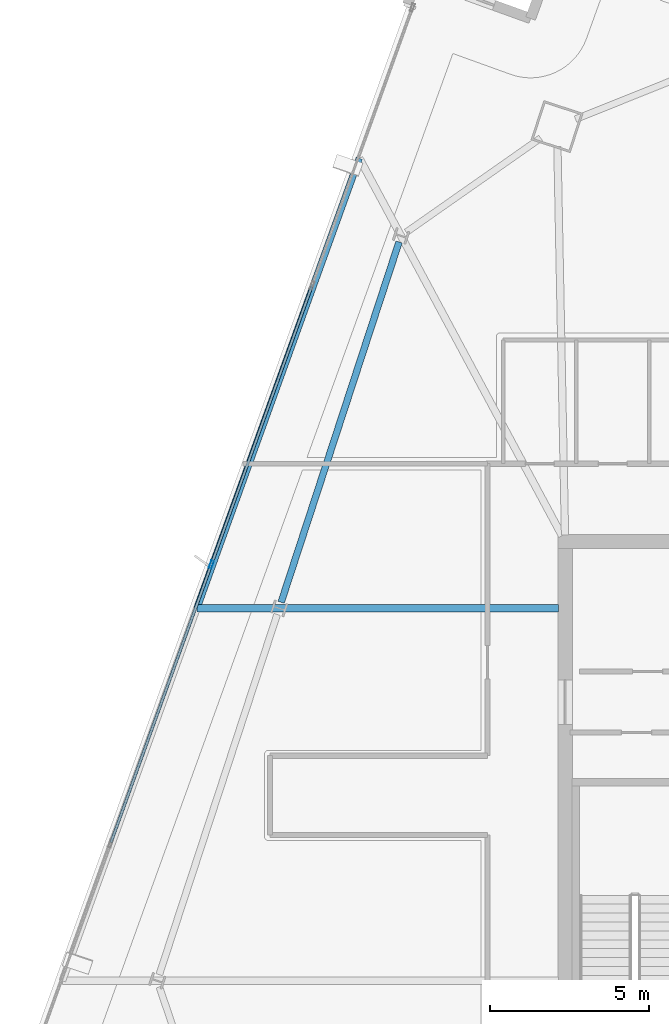
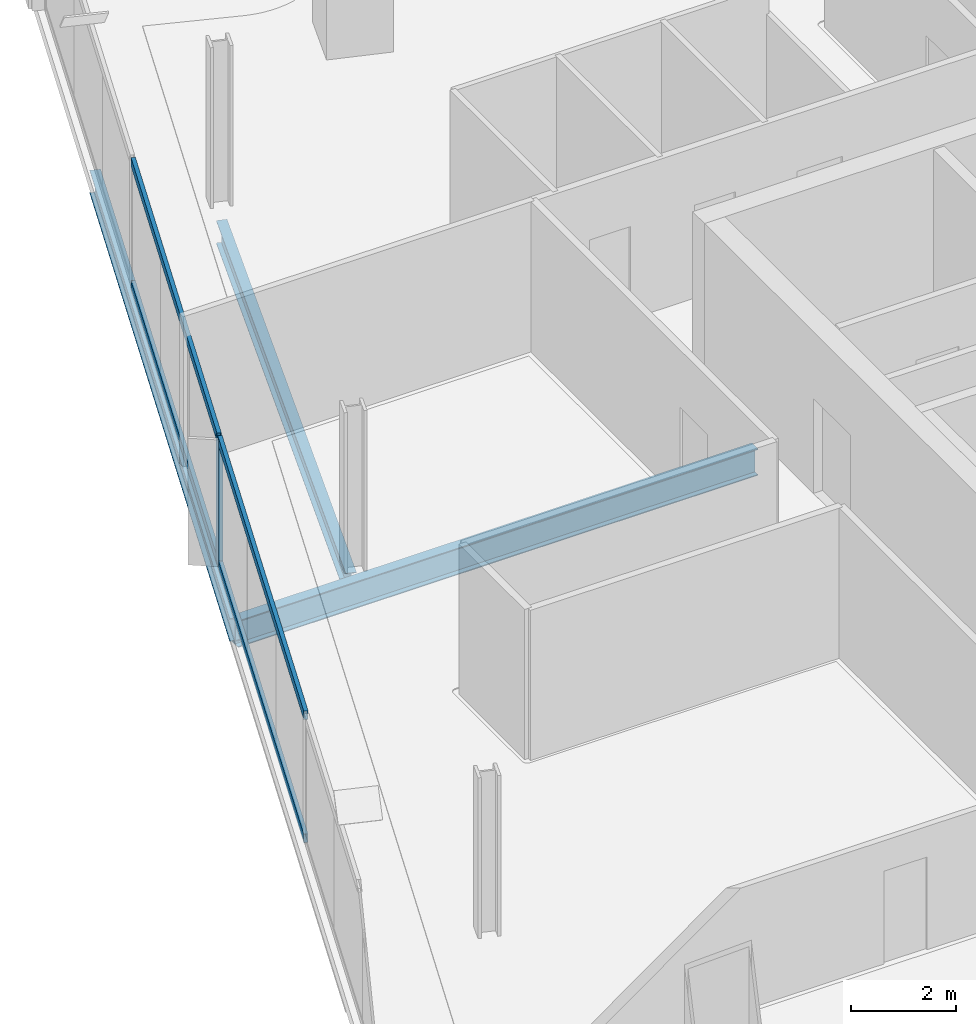
# One storey, part 12 of 27: 5 members, 3 beams, 1 element without a shape of its own.
"""IFC4 building model written with IfcOpenShell, lengths in metres."""

from ifc_helpers import new_model, si_unit, direction, frame, origin, origin_2d, place, context, subcontext, project, spatial, hollow_rectangle, i_section, extrude, material, material_profile, profile_set, type_object, element, aggregate, save


model = new_model("IFC4")

# Units and contexts
model_context = context("Model", 3, precision=1e-05, world=origin(), true_north=direction((0.0, 1.0)))
body_context = subcontext(model_context, "Body", "Model", "MODEL_VIEW")
ifc_project = project(units=[si_unit("LENGTHUNIT", "METRE"), si_unit("AREAUNIT", "SQUARE_METRE"), si_unit("VOLUMEUNIT", "CUBIC_METRE"), si_unit("PLANEANGLEUNIT", "RADIAN"), si_unit("MASSUNIT", "GRAM", prefix="KILO")], contexts=[model_context])

# Site, building, storey
site_placement = place(None, origin())
site = spatial("IfcSite", under=ifc_project, at=site_placement, CompositionType="ELEMENT")
building_placement = place(site_placement, origin())
building = spatial("IfcBuilding", under=site, at=building_placement, Name="Haldenkirk Collegiate Tower", CompositionType="ELEMENT")
storey_placement = place(building_placement, frame((0.0, 0.0, 263.699951171875)))
storey = spatial("IfcBuildingStorey", under=building, at=storey_placement, Name="L66", CompositionType="ELEMENT", Elevation=263.699951171875)

# Beams
ifc_material_1 = material(Name="Steel ASTM A992 Grade 50", Category="steel")
ifc_material_profile_1 = material_profile(ifc_material_1, i_section(OverallWidth=0.22998046875, OverallDepth=0.616943359375, WebThickness=0.01318359375, FlangeThickness=0.022216796875, at=origin_2d()), Name="W24X94")
ifc_profile_set_1 = profile_set([ifc_material_profile_1], Name="Steel ASTM A992 Grade 50")
beam_type_1 = type_object("IfcBeamType", Name="BM-GIRDER-W24X94", PredefinedType="BEAM", material=ifc_profile_set_1)
beam_1_placement = place(storey_placement, frame((15.397216796875, 31.8935546875, -0.578369140625), z_axis=(1.0, 0.0, 0.0), x_axis=(0.0, 1.0, 0.0)))
element("IfcBeam", 1, at=beam_1_placement, inside=storey, type_object=beam_type_1, Name="L66 primary floor girder 12", PredefinedType="BEAM", context=body_context, shape_type="SweptSolid", body=[
    extrude(i_section(OverallWidth=0.22998046875, OverallDepth=0.616943359375, WebThickness=0.01318359375, FlangeThickness=0.022216796875, at=origin_2d()), origin(), (0.0, 0.0, 1.0), 11.397705078125),
])
ifc_material_profile_2 = material_profile(ifc_material_1, i_section(OverallWidth=0.2099609375, OverallDepth=0.537109375, WebThickness=0.010986328125, FlangeThickness=0.017333984375, at=origin_2d()), Name="W21X68")
ifc_profile_set_2 = profile_set([ifc_material_profile_2], Name="Steel ASTM A992 Grade 50")
beam_type_2 = type_object("IfcBeamType", Name="BM-SPANDREL-W21X68", PredefinedType="SPANDREL", material=ifc_profile_set_2)
beam_2_placement = place(storey_placement, frame((21.76708984375, 43.436767578125, -0.538330078125), z_axis=(-0.311010188249, -0.950406577631, 0.0), x_axis=(0.950406577631, -0.311010188249, 0.0)))
element("IfcBeam", 2, at=beam_2_placement, inside=storey, type_object=beam_type_2, Name="L66 perimeter spandrel beam 10", PredefinedType="SPANDREL", context=body_context, shape_type="SweptSolid", body=[
    extrude(i_section(OverallWidth=0.2099609375, OverallDepth=0.537109375, WebThickness=0.010986328125, FlangeThickness=0.017333984375, at=origin_2d()), origin(), (0.0, 0.0, 1.0), 11.94287109375),
])
beam_3_placement = place(storey_placement, frame((20.516845703125, 46.0751953125, -0.538330078125), z_axis=(-0.339555332024, -0.940586081384, 0.0), x_axis=(0.940586081384, -0.339555332024, 0.0)))
element("IfcBeam", 3, at=beam_3_placement, inside=storey, type_object=beam_type_2, Name="L66 outer facade edge beam 3A", PredefinedType="SPANDREL", context=body_context, shape_type="SweptSolid", body=[
    extrude(i_section(OverallWidth=0.2099609375, OverallDepth=0.537109375, WebThickness=0.010986328125, FlangeThickness=0.017333984375, at=origin_2d()), origin(), (0.0, 0.0, 1.0), 15.077392578125),
])

# Curtain wall, members
ifc_material_2 = material(Name="Anodised architectural bronze aluminium", Category="aluminium")
curtain_wall_type = type_object("IfcCurtainWallType", Name="CW-SYS1B-CONVEX-HI", PredefinedType="USERDEFINED", material=ifc_material_2)
curtain_wall_placement = place(storey_placement, origin())
curtain_wall = element("IfcCurtainWall", 4, at=curtain_wall_placement, inside=storey, type_object=curtain_wall_type, Name="L66 Upper tower high-wind convex bronze unitised curtain wall", ObjectType="UNITISED CURTAIN WALL", PredefinedType="USERDEFINED")
ifc_material_profile_3 = material_profile(ifc_material_2, hollow_rectangle(XDim=0.0849609375, YDim=0.25, WallThickness=0.0048828125, at=origin_2d()), Name="CW-MUL-1B")
ifc_profile_set_3 = profile_set([ifc_material_profile_3], Name="Anodised architectural bronze aluminium")
member_type_1 = type_object("IfcMemberType", Name="CW-MUL-1B", PredefinedType="MULLION", material=ifc_profile_set_3)
member_1_placement = place(storey_placement, frame((15.8525390625, 33.2734375, 0.0), z_axis=(0.0, 0.0, 1.0), x_axis=(-0.940584906317, 0.339558587006, 0.0)))
member_1 = element("IfcMember", 5, at=member_1_placement, type_object=member_type_1, Name="CW-1B mullion 3", PredefinedType="MULLION", context=body_context, shape_type="SweptSolid", body=[
    extrude(hollow_rectangle(XDim=0.0849609375, YDim=0.25, WallThickness=0.0048828125, at=origin_2d()), origin(), (0.0, 0.0, 1.0), 2.93798828125),
])
ifc_material_profile_4 = material_profile(ifc_material_2, hollow_rectangle(XDim=0.0849609375, YDim=0.199951171875, WallThickness=0.0048828125, at=origin_2d()), Name="CW-TRN-1B")
ifc_profile_set_4 = profile_set([ifc_material_profile_4], Name="Anodised architectural bronze aluminium")
member_type_2 = type_object("IfcMemberType", Name="CW-TRN-1B", PredefinedType="USERDEFINED", material=ifc_profile_set_4)
member_2_placement = place(storey_placement, frame((12.692138671875, 24.518798828125, 0.04248046875), z_axis=(0.339554456321, 0.940586397516, 0.0), x_axis=(-0.940586397516, 0.339554456321, 0.0)))
member_2 = element("IfcMember", 6, at=member_2_placement, type_object=member_type_2, Name="CW-1B transom 2.1", ObjectType="TRANSOM", PredefinedType="USERDEFINED", context=body_context, shape_type="SweptSolid", body=[
    extrude(hollow_rectangle(XDim=0.0849609375, YDim=0.199951171875, WallThickness=0.0048828125, at=origin_2d()), origin(), (0.0, 0.0, 1.0), 9.26513671875),
])
member_3_placement = place(storey_placement, frame((12.692138671875, 24.518798828125, 2.8955078125), z_axis=(0.339554456321, 0.940586397516, 0.0), x_axis=(-0.940586397516, 0.339554456321, 0.0)))
member_3 = element("IfcMember", 7, at=member_3_placement, type_object=member_type_2, Name="CW-1B transom 2.2", ObjectType="TRANSOM", PredefinedType="USERDEFINED", context=body_context, shape_type="SweptSolid", body=[
    extrude(hollow_rectangle(XDim=0.0849609375, YDim=0.199951171875, WallThickness=0.0048828125, at=origin_2d()), origin(), (0.0, 0.0, 1.0), 9.26513671875),
])
member_4_placement = place(storey_placement, frame((15.8671875, 33.313232421875, 0.04248046875), z_axis=(0.339554456321, 0.940586397516, 0.0), x_axis=(-0.940586397516, 0.339554456321, 0.0)))
member_4 = element("IfcMember", 8, at=member_4_placement, type_object=member_type_2, Name="CW-1B transom 3.1", ObjectType="TRANSOM", PredefinedType="USERDEFINED", context=body_context, shape_type="SweptSolid", body=[
    extrude(hollow_rectangle(XDim=0.0849609375, YDim=0.199951171875, WallThickness=0.0048828125, at=origin_2d()), origin(), (0.0, 0.0, 1.0), 9.26513671875),
])
member_5_placement = place(storey_placement, frame((15.8671875, 33.313232421875, 2.8955078125), z_axis=(0.339554456321, 0.940586397516, 0.0), x_axis=(-0.940586397516, 0.339554456321, 0.0)))
member_5 = element("IfcMember", 9, at=member_5_placement, type_object=member_type_2, Name="CW-1B transom 3.2", ObjectType="TRANSOM", PredefinedType="USERDEFINED", context=body_context, shape_type="SweptSolid", body=[
    extrude(hollow_rectangle(XDim=0.0849609375, YDim=0.199951171875, WallThickness=0.0048828125, at=origin_2d()), origin(), (0.0, 0.0, 1.0), 9.26513671875),
])
aggregate(curtain_wall, [member_1, member_2, member_3, member_4, member_5])

save(model, "model.ifc")
